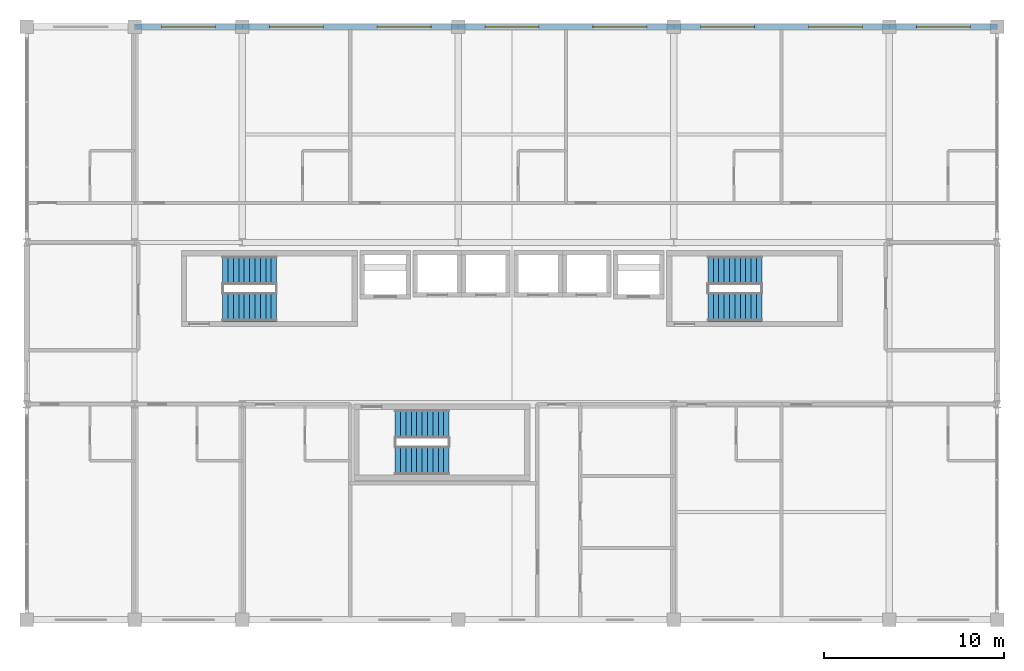
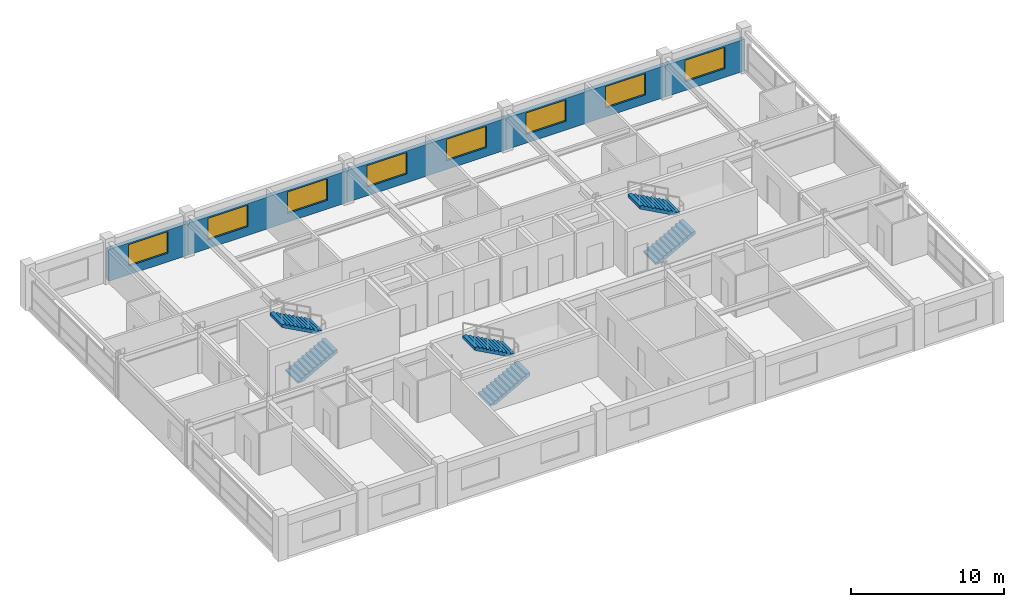
# One storey, part 19 of 20: 8 windows, 6 stair flights, 5 walls, 8 openings, 3 elements without a shape of their own.
"""IFC4 building model written with IfcOpenShell, lengths in metres."""

import ifcopenshell
import ifcopenshell.guid

model = None  # the IFC model being written
_history = None  # IfcOwnerHistory: only IFC2X3 demands one
_inside = {}  # id of a spatial element -> (the spatial element, [elements in it])
_under = {}  # id of a project, library or spatial element -> (it, [spatial elements below it])
_declared = {}  # id of a project -> (the project, [libraries it declares])
_typed = {}  # id of a type object -> (the type object, [elements of that type])
_made_of = {}  # id of a material, layer set ... -> (it, [elements and type objects made of it])


def new_model(schema):
    """Start an empty IFC model of exactly this schema.

    Asked for "IFC4X3", IfcOpenShell would pick the latest addendum, in which some entities
    have other attributes; the version numbers below select the first issue.
    IFC2X3 requires an IfcOwnerHistory on every rooted entity: one is made here for all.
    """
    global model, _history
    if schema == "IFC4X3":
        model = ifcopenshell.file(schema_version=(4, 3, 0, 0))
    else:
        model = ifcopenshell.file(schema=schema)
    _inside.clear()
    _under.clear()
    _declared.clear()
    _typed.clear()
    _made_of.clear()
    _history = None
    if model.schema == "IFC2X3":
        org = make("IfcOrganization", Name="unknown")
        user = make(
            "IfcPersonAndOrganization",
            ThePerson=make("IfcPerson", FamilyName="unknown"),
            TheOrganization=org,
        )
        app = make(
            "IfcApplication",
            ApplicationDeveloper=org,
            Version="unknown",
            ApplicationFullName="unknown",
            ApplicationIdentifier="unknown",
        )
        _history = make(
            "IfcOwnerHistory",
            OwningUser=user,
            OwningApplication=app,
            ChangeAction="ADDED",
            CreationDate=0,
        )
    return model


def make(cls, **values):
    """One entity of the class cls with the attributes given. An attribute that is None is left unset."""
    return model.create_entity(
        cls, **{name: value for name, value in values.items() if value is not None}
    )


def rooted(cls, **values):
    """An entity with a GlobalId (a new one), such as an element, a storey or a relation."""
    return make(cls, GlobalId=ifcopenshell.guid.new(), OwnerHistory=_history, **values)


def si_unit(unit_type, name, prefix=None):
    """IfcSIUnit, for example si_unit("LENGTHUNIT", "METRE", prefix="MILLI")."""
    return make("IfcSIUnit", UnitType=unit_type, Prefix=prefix, Name=name)


def assignment(units):
    """IfcUnitAssignment: the units of a project."""
    return None if units is None else make("IfcUnitAssignment", Units=units)


def point(xyz):
    """IfcCartesianPoint."""
    return None if xyz is None else make("IfcCartesianPoint", Coordinates=xyz)


def direction(xyz):
    """IfcDirection."""
    return None if xyz is None else make("IfcDirection", DirectionRatios=xyz)


def frame(location, z_axis=None, x_axis=None):
    """IfcAxis2Placement3D, a coordinate frame: its origin and axes. An axis left out is left unset."""
    return make(
        "IfcAxis2Placement3D",
        Location=point(location),
        Axis=direction(z_axis),
        RefDirection=direction(x_axis),
    )


def frame_2d(location, x_axis=None):
    """IfcAxis2Placement2D, a coordinate frame in the plane: its origin and x axis."""
    return make(
        "IfcAxis2Placement2D", Location=point(location), RefDirection=direction(x_axis)
    )


def origin():
    """The frame at (0, 0, 0) with its axes left unset."""
    return frame((0.0, 0.0, 0.0))


def place(relative_to, where):
    """IfcLocalPlacement: puts the frame where relative to a parent placement (None: the world)."""
    return make(
        "IfcLocalPlacement", PlacementRelTo=relative_to, RelativePlacement=where
    )


def context(
    kind, dimensions, precision=None, world=None, true_north=None, identifier=None
):
    """IfcGeometricRepresentationContext, for example the 3D "Model" context."""
    return make(
        "IfcGeometricRepresentationContext",
        ContextIdentifier=identifier,
        ContextType=kind,
        CoordinateSpaceDimension=dimensions,
        Precision=precision,
        WorldCoordinateSystem=world,
        TrueNorth=true_north,
    )


def subcontext(parent, identifier, kind, view, scale=None):
    """IfcGeometricRepresentationSubContext, for example "Body" below "Model"."""
    return make(
        "IfcGeometricRepresentationSubContext",
        ContextIdentifier=identifier,
        ContextType=kind,
        ParentContext=parent,
        TargetScale=scale,
        TargetView=view,
    )


def project(units=None, contexts=None):
    """IfcProject with its units and contexts."""
    return rooted(
        "IfcProject",
        Name="project",
        RepresentationContexts=contexts,
        UnitsInContext=assignment(units),
    )


def spatial(cls, under=None, at=None, **own):
    """A site, building, storey or space (cls), placed at a placement, below another one or the project."""
    s = rooted(cls, ObjectPlacement=at, **own)
    if under is not None:
        _under.setdefault(under.id(), (under, []))[1].append(s)
    return s


def polyline(points):
    """IfcPolyline through the points."""
    return make("IfcPolyline", Points=[point(p) for p in points])


def profile(cls, at=None, kind="AREA", **sizes):
    """A parametric profile (cls). Its sizes go by their IFC names, for example OverallWidth=200.0."""
    return make(cls, ProfileType=kind, Position=at, **sizes)


def rectangle(**sizes):
    """IfcRectangleProfileDef."""
    return profile("IfcRectangleProfileDef", **sizes)


def outline(outer, holes=None, kind="AREA"):
    """IfcArbitraryClosedProfileDef: a profile drawn as a closed curve; with holes, ...WithVoids."""
    if holes is None:
        return make("IfcArbitraryClosedProfileDef", ProfileType=kind, OuterCurve=outer)
    return make(
        "IfcArbitraryProfileDefWithVoids",
        ProfileType=kind,
        OuterCurve=outer,
        InnerCurves=holes,
    )


def extrude(swept, where, along, depth):
    """IfcExtrudedAreaSolid: the profile swept, set in the frame where, extruded along a direction by depth."""
    return make(
        "IfcExtrudedAreaSolid",
        SweptArea=swept,
        Position=where,
        ExtrudedDirection=direction(along),
        Depth=depth,
    )


def shape(context_of_items, identifier, shape_type, items):
    """IfcShapeRepresentation: the items that make up one representation, for example the "Body"."""
    return make(
        "IfcShapeRepresentation",
        ContextOfItems=context_of_items,
        RepresentationIdentifier=identifier,
        RepresentationType=shape_type,
        Items=items,
    )


def material(Name=None, Category=None):
    """IfcMaterial."""
    return make("IfcMaterial", Name=Name, Category=Category)


def layer(
    of_material, thickness, ventilated=None, Name=None, Category=None, Priority=None
):
    """IfcMaterialLayer: one layer of a wall or slab, of a material (None: an air gap)."""
    return make(
        "IfcMaterialLayer",
        Material=of_material,
        LayerThickness=thickness,
        IsVentilated=ventilated,
        Name=Name,
        Category=Category,
        Priority=Priority,
    )


def layer_set(layers, Name=None):
    """IfcMaterialLayerSet."""
    return make("IfcMaterialLayerSet", MaterialLayers=layers, LayerSetName=Name)


def made_of(thing, what):
    """Note that an element or type object is made of a material, layer set ...; save() writes the relation."""
    if what is not None:
        _made_of.setdefault(what.id(), (what, []))[1].append(thing)
    return thing


def type_object(cls, material=None, **own):
    """A type object (cls), such as IfcWallType, which elements share."""
    return made_of(rooted(cls, **own), material)


def element(
    cls,
    number,
    at=None,
    inside=None,
    cuts=None,
    type_object=None,
    material=None,
    context=None,
    identifier="Body",
    shape_type=None,
    held_by="IfcProductDefinitionShape",
    body=None,
    shapes=None,
    **own,
):
    """One element of the class cls, such as IfcWall. Its Tag is "e" and its number.

    at: its placement. inside: the storey or other place that contains it. cuts: it is an
    opening in that element (IfcRelVoidsElement). A single representation is given by context,
    identifier, shape_type and body (its items); several are given by shapes. held_by: the class
    of the entity that holds the representations. save() writes the other relations.
    """
    e = rooted(cls, Tag="e%d" % number, ObjectPlacement=at, **own)
    if body is not None:
        shapes = [shape(context, identifier, shape_type, body)]
    if shapes is not None:
        e.Representation = make(held_by, Representations=shapes)
    if inside is not None:
        _inside.setdefault(inside.id(), (inside, []))[1].append(e)
    if cuts is not None:
        rooted(
            "IfcRelVoidsElement", RelatingBuildingElement=cuts, RelatedOpeningElement=e
        )
    if type_object is not None:
        _typed.setdefault(type_object.id(), (type_object, []))[1].append(e)
    return made_of(e, material)


def fill(opening, filler):
    """IfcRelFillsElement: the door or window that sits in an opening."""
    return rooted(
        "IfcRelFillsElement",
        RelatingOpeningElement=opening,
        RelatedBuildingElement=filler,
    )


def aggregate(whole, parts):
    """IfcRelAggregates: a whole, such as a stair, and the parts it consists of."""
    return rooted("IfcRelAggregates", RelatingObject=whole, RelatedObjects=parts)


def save(model, path):
    """Write the relations noted so far, then the file.

    IfcRelAggregates (storeys below a building ...), IfcRelContainedInSpatialStructure (elements
    in a storey), IfcRelDefinesByType, IfcRelAssociatesMaterial and IfcRelDeclares: one each for
    every whole, place, type object, material and project.
    """
    for whole, parts in _under.values():
        aggregate(whole, parts)
    for where, things in _inside.values():
        rooted(
            "IfcRelContainedInSpatialStructure",
            RelatedElements=things,
            RelatingStructure=where,
        )
    for kind, things in _typed.values():
        rooted("IfcRelDefinesByType", RelatedObjects=things, RelatingType=kind)
    for what, things in _made_of.values():
        rooted("IfcRelAssociatesMaterial", RelatedObjects=things, RelatingMaterial=what)
    for by, libraries in _declared.values():
        rooted("IfcRelDeclares", RelatingContext=by, RelatedDefinitions=libraries)
    model.write(path)


model = new_model("IFC4")

# Units and contexts
model_context = context("Model", 3, precision=1e-05, world=origin(), true_north=direction((0.0, 1.0)))
body_context = subcontext(model_context, "Body", "Model", "MODEL_VIEW")
ifc_project = project(units=[si_unit("LENGTHUNIT", "METRE"), si_unit("AREAUNIT", "SQUARE_METRE"), si_unit("VOLUMEUNIT", "CUBIC_METRE"), si_unit("PLANEANGLEUNIT", "RADIAN"), si_unit("MASSUNIT", "GRAM", prefix="KILO")], contexts=[model_context])

# Site, building, storey
site_placement = place(None, origin())
site = spatial("IfcSite", under=ifc_project, at=site_placement, CompositionType="ELEMENT")
building_placement = place(site_placement, origin())
building = spatial("IfcBuilding", under=site, at=building_placement, Name="Kaldorvane Square Convention Centre", CompositionType="ELEMENT")
storey_placement = place(building_placement, frame((0.0, 0.0, 52.80000305175781)))
storey = spatial("IfcBuildingStorey", under=building, at=storey_placement, Name="L12", CompositionType="ELEMENT", Elevation=52.80000305175781)

# Wall, opening, window
ifc_material_1 = material(Name="Concrete f'c = 35 MPa (Normalweight)", Category="concrete")
ifc_layer = layer(ifc_material_1, 0.32000732421875)
ifc_layer_set = layer_set([ifc_layer], Name="Concrete f'c = 35 MPa (Normalweight)")
wall_type = type_object("IfcWallType", Name="WL-EXT-320", PredefinedType="STANDARD", material=ifc_layer_set)
wall_1_placement = place(storey_placement, frame((42.0, 117.0, 0.0), z_axis=(0.0, 0.0, 1.0), x_axis=(-1.0, 0.0, 0.0)))
wall_1 = element("IfcWall", 1, at=wall_1_placement, inside=storey, type_object=wall_type, Name="Hotel N Brutalist Facade Wall (L12)", PredefinedType="STANDARD", context=body_context, shape_type="SweptSolid", body=[
    extrude(rectangle(XDim=6.0, YDim=0.32000732421875, at=frame_2d((3.0, 0.0))), origin(), (0.0, 0.0, 1.0), 2.5359954833984375),
])
opening_1_placement = place(wall_1_placement, frame((1.5, 0.0, 0.6999969482421875)))
opening_1 = element("IfcOpeningElement", 2, at=opening_1_placement, cuts=wall_1, Name="Opening W-09", PredefinedType="OPENING", context=body_context, shape_type="SweptSolid", body=[
    extrude(rectangle(XDim=3.0, YDim=1.7100067138671875, at=frame_2d((1.5, 0.855010986328125))), frame((0.0, 0.1750030517578125, 0.0), z_axis=(0.0, -1.0, 0.0), x_axis=(1.0, 0.0, 0.0)), (0.0, 0.0, 1.0), 0.350006103515625),
])
ifc_material_2 = material(Name="Anodized Aluminum and Low-E Insulated Glazing", Category="aluminium")
window_type = type_object("IfcWindowType", Name="WN-HTL-3000X1750", PartitioningType="TRIPLE_PANEL_VERTICAL", PredefinedType="WINDOW", material=ifc_material_2)
window_1_placement = place(opening_1_placement, origin())
window_1 = element("IfcWindow", 3, at=window_1_placement, inside=storey, type_object=window_type, Name="Hotel N Window (L12)", OverallHeight=1.7100067138671875, OverallWidth=3.0, PartitioningType="TRIPLE_PANEL_VERTICAL", PredefinedType="WINDOW", context=body_context, shape_type="SweptSolid", body=[
    extrude(rectangle(XDim=3.0, YDim=1.7100067138671875, at=frame_2d((1.5, 0.855010986328125))), frame((0.0, 0.029998779296875, 0.0), z_axis=(0.0, -1.0, 0.0), x_axis=(1.0, 0.0, 0.0)), (0.0, 0.0, 1.0), 0.05999755859375),
])
fill(opening_1, window_1)

# Wall, openings, windows
wall_2_placement = place(storey_placement, frame((54.0, 117.0, 0.0), z_axis=(0.0, 0.0, 1.0), x_axis=(-1.0, 0.0, 0.0)))
wall_2 = element("IfcWall", 4, at=wall_2_placement, inside=storey, type_object=wall_type, Name="Hotel N Brutalist Facade Wall (L12)", PredefinedType="STANDARD", context=body_context, shape_type="SweptSolid", body=[
    extrude(rectangle(XDim=12.0, YDim=0.32000732421875, at=frame_2d((6.0, 0.0))), origin(), (0.0, 0.0, 1.0), 2.5359954833984375),
])
opening_2_placement = place(wall_2_placement, frame((1.5, 0.0, 0.6999969482421875)))
opening_2 = element("IfcOpeningElement", 5, at=opening_2_placement, cuts=wall_2, Name="Opening W-09", PredefinedType="OPENING", context=body_context, shape_type="SweptSolid", body=[
    extrude(rectangle(XDim=3.0, YDim=1.7100067138671875, at=frame_2d((1.5, 0.855010986328125))), frame((0.0, 0.1750030517578125, 0.0), z_axis=(0.0, -1.0, 0.0), x_axis=(1.0, 0.0, 0.0)), (0.0, 0.0, 1.0), 0.350006103515625),
])
opening_3_placement = place(wall_2_placement, frame((7.5, 0.0, 0.6999969482421875)))
opening_3 = element("IfcOpeningElement", 6, at=opening_3_placement, cuts=wall_2, Name="Opening W-09", PredefinedType="OPENING", context=body_context, shape_type="SweptSolid", body=[
    extrude(rectangle(XDim=3.0, YDim=1.7100067138671875, at=frame_2d((1.5, 0.855010986328125))), frame((0.0, 0.1750030517578125, 0.0), z_axis=(0.0, -1.0, 0.0), x_axis=(1.0, 0.0, 0.0)), (0.0, 0.0, 1.0), 0.350006103515625),
])
window_2_placement = place(opening_2_placement, origin())
window_2 = element("IfcWindow", 7, at=window_2_placement, inside=storey, type_object=window_type, Name="Hotel N Window (L12)", OverallHeight=1.7100067138671875, OverallWidth=3.0, PartitioningType="TRIPLE_PANEL_VERTICAL", PredefinedType="WINDOW", context=body_context, shape_type="SweptSolid", body=[
    extrude(rectangle(XDim=3.0, YDim=1.7100067138671875, at=frame_2d((1.5, 0.855010986328125))), frame((0.0, 0.029998779296875, 0.0), z_axis=(0.0, -1.0, 0.0), x_axis=(1.0, 0.0, 0.0)), (0.0, 0.0, 1.0), 0.05999755859375),
])
fill(opening_2, window_2)
window_3_placement = place(opening_3_placement, origin())
window_3 = element("IfcWindow", 8, at=window_3_placement, inside=storey, type_object=window_type, Name="Hotel N Window (L12)", OverallHeight=1.7100067138671875, OverallWidth=3.0, PartitioningType="TRIPLE_PANEL_VERTICAL", PredefinedType="WINDOW", context=body_context, shape_type="SweptSolid", body=[
    extrude(rectangle(XDim=3.0, YDim=1.7100067138671875, at=frame_2d((1.5, 0.855010986328125))), frame((0.0, 0.029998779296875, 0.0), z_axis=(0.0, -1.0, 0.0), x_axis=(1.0, 0.0, 0.0)), (0.0, 0.0, 1.0), 0.05999755859375),
])
fill(opening_3, window_3)

wall_3_placement = place(storey_placement, frame((66.0, 117.0, 0.0), z_axis=(0.0, 0.0, 1.0), x_axis=(-1.0, 0.0, 0.0)))
wall_3 = element("IfcWall", 9, at=wall_3_placement, inside=storey, type_object=wall_type, Name="Hotel N Brutalist Facade Wall (L12)", PredefinedType="STANDARD", context=body_context, shape_type="SweptSolid", body=[
    extrude(rectangle(XDim=12.0, YDim=0.32000732421875, at=frame_2d((6.0, 0.0))), origin(), (0.0, 0.0, 1.0), 2.5359954833984375),
])
opening_4_placement = place(wall_3_placement, frame((1.5, 0.0, 0.6999969482421875)))
opening_4 = element("IfcOpeningElement", 10, at=opening_4_placement, cuts=wall_3, Name="Opening W-09", PredefinedType="OPENING", context=body_context, shape_type="SweptSolid", body=[
    extrude(rectangle(XDim=3.0, YDim=1.7100067138671875, at=frame_2d((1.5, 0.855010986328125))), frame((0.0, 0.1750030517578125, 0.0), z_axis=(0.0, -1.0, 0.0), x_axis=(1.0, 0.0, 0.0)), (0.0, 0.0, 1.0), 0.350006103515625),
])
opening_5_placement = place(wall_3_placement, frame((7.5, 0.0, 0.6999969482421875)))
opening_5 = element("IfcOpeningElement", 11, at=opening_5_placement, cuts=wall_3, Name="Opening W-09", PredefinedType="OPENING", context=body_context, shape_type="SweptSolid", body=[
    extrude(rectangle(XDim=3.0, YDim=1.7100067138671875, at=frame_2d((1.5, 0.855010986328125))), frame((0.0, 0.1750030517578125, 0.0), z_axis=(0.0, -1.0, 0.0), x_axis=(1.0, 0.0, 0.0)), (0.0, 0.0, 1.0), 0.350006103515625),
])
window_4_placement = place(opening_4_placement, origin())
window_4 = element("IfcWindow", 12, at=window_4_placement, inside=storey, type_object=window_type, Name="Hotel N Window (L12)", OverallHeight=1.7100067138671875, OverallWidth=3.0, PartitioningType="TRIPLE_PANEL_VERTICAL", PredefinedType="WINDOW", context=body_context, shape_type="SweptSolid", body=[
    extrude(rectangle(XDim=3.0, YDim=1.7100067138671875, at=frame_2d((1.5, 0.855010986328125))), frame((0.0, 0.029998779296875, 0.0), z_axis=(0.0, -1.0, 0.0), x_axis=(1.0, 0.0, 0.0)), (0.0, 0.0, 1.0), 0.05999755859375),
])
fill(opening_4, window_4)
window_5_placement = place(opening_5_placement, origin())
window_5 = element("IfcWindow", 13, at=window_5_placement, inside=storey, type_object=window_type, Name="Hotel N Window (L12)", OverallHeight=1.7100067138671875, OverallWidth=3.0, PartitioningType="TRIPLE_PANEL_VERTICAL", PredefinedType="WINDOW", context=body_context, shape_type="SweptSolid", body=[
    extrude(rectangle(XDim=3.0, YDim=1.7100067138671875, at=frame_2d((1.5, 0.855010986328125))), frame((0.0, 0.029998779296875, 0.0), z_axis=(0.0, -1.0, 0.0), x_axis=(1.0, 0.0, 0.0)), (0.0, 0.0, 1.0), 0.05999755859375),
])
fill(opening_5, window_5)

wall_4_placement = place(storey_placement, frame((78.0, 117.0, 0.0), z_axis=(0.0, 0.0, 1.0), x_axis=(-1.0, 0.0, 0.0)))
wall_4 = element("IfcWall", 14, at=wall_4_placement, inside=storey, type_object=wall_type, Name="Hotel N Brutalist Facade Wall (L12)", PredefinedType="STANDARD", context=body_context, shape_type="SweptSolid", body=[
    extrude(rectangle(XDim=12.0, YDim=0.32000732421875, at=frame_2d((6.0, 0.0))), origin(), (0.0, 0.0, 1.0), 2.5359954833984375),
])
opening_6_placement = place(wall_4_placement, frame((1.5, 0.0, 0.6999969482421875)))
opening_6 = element("IfcOpeningElement", 15, at=opening_6_placement, cuts=wall_4, Name="Opening W-09", PredefinedType="OPENING", context=body_context, shape_type="SweptSolid", body=[
    extrude(rectangle(XDim=3.0, YDim=1.7100067138671875, at=frame_2d((1.5, 0.855010986328125))), frame((0.0, 0.1750030517578125, 0.0), z_axis=(0.0, -1.0, 0.0), x_axis=(1.0, 0.0, 0.0)), (0.0, 0.0, 1.0), 0.350006103515625),
])
opening_7_placement = place(wall_4_placement, frame((7.5, 0.0, 0.6999969482421875)))
opening_7 = element("IfcOpeningElement", 16, at=opening_7_placement, cuts=wall_4, Name="Opening W-09", PredefinedType="OPENING", context=body_context, shape_type="SweptSolid", body=[
    extrude(rectangle(XDim=3.0, YDim=1.7100067138671875, at=frame_2d((1.5, 0.855010986328125))), frame((0.0, 0.1750030517578125, 0.0), z_axis=(0.0, -1.0, 0.0), x_axis=(1.0, 0.0, 0.0)), (0.0, 0.0, 1.0), 0.350006103515625),
])
window_6_placement = place(opening_6_placement, origin())
window_6 = element("IfcWindow", 17, at=window_6_placement, inside=storey, type_object=window_type, Name="Hotel N Window (L12)", OverallHeight=1.7100067138671875, OverallWidth=3.0, PartitioningType="TRIPLE_PANEL_VERTICAL", PredefinedType="WINDOW", context=body_context, shape_type="SweptSolid", body=[
    extrude(rectangle(XDim=3.0, YDim=1.7100067138671875, at=frame_2d((1.5, 0.855010986328125))), frame((0.0, 0.029998779296875, 0.0), z_axis=(0.0, -1.0, 0.0), x_axis=(1.0, 0.0, 0.0)), (0.0, 0.0, 1.0), 0.05999755859375),
])
fill(opening_6, window_6)
window_7_placement = place(opening_7_placement, origin())
window_7 = element("IfcWindow", 18, at=window_7_placement, inside=storey, type_object=window_type, Name="Hotel N Window (L12)", OverallHeight=1.7100067138671875, OverallWidth=3.0, PartitioningType="TRIPLE_PANEL_VERTICAL", PredefinedType="WINDOW", context=body_context, shape_type="SweptSolid", body=[
    extrude(rectangle(XDim=3.0, YDim=1.7100067138671875, at=frame_2d((1.5, 0.855010986328125))), frame((0.0, 0.029998779296875, 0.0), z_axis=(0.0, -1.0, 0.0), x_axis=(1.0, 0.0, 0.0)), (0.0, 0.0, 1.0), 0.05999755859375),
])
fill(opening_7, window_7)

# Wall, opening, window
wall_5_placement = place(storey_placement, frame((84.0, 117.0, 0.0), z_axis=(0.0, 0.0, 1.0), x_axis=(-1.0, 0.0, 0.0)))
wall_5 = element("IfcWall", 19, at=wall_5_placement, inside=storey, type_object=wall_type, Name="Hotel N Brutalist Facade Wall (L12)", PredefinedType="STANDARD", context=body_context, shape_type="SweptSolid", body=[
    extrude(rectangle(XDim=6.0, YDim=0.32000732421875, at=frame_2d((3.0, 0.0))), origin(), (0.0, 0.0, 1.0), 2.5359954833984375),
])
opening_8_placement = place(wall_5_placement, frame((1.5, 0.0, 0.6999969482421875)))
opening_8 = element("IfcOpeningElement", 20, at=opening_8_placement, cuts=wall_5, Name="Opening W-09", PredefinedType="OPENING", context=body_context, shape_type="SweptSolid", body=[
    extrude(rectangle(XDim=3.0, YDim=1.7100067138671875, at=frame_2d((1.5, 0.855010986328125))), frame((0.0, 0.1750030517578125, 0.0), z_axis=(0.0, -1.0, 0.0), x_axis=(1.0, 0.0, 0.0)), (0.0, 0.0, 1.0), 0.350006103515625),
])
window_8_placement = place(opening_8_placement, origin())
window_8 = element("IfcWindow", 21, at=window_8_placement, inside=storey, type_object=window_type, Name="Hotel N Window (L12)", OverallHeight=1.7100067138671875, OverallWidth=3.0, PartitioningType="TRIPLE_PANEL_VERTICAL", PredefinedType="WINDOW", context=body_context, shape_type="SweptSolid", body=[
    extrude(rectangle(XDim=3.0, YDim=1.7100067138671875, at=frame_2d((1.5, 0.855010986328125))), frame((0.0, 0.029998779296875, 0.0), z_axis=(0.0, -1.0, 0.0), x_axis=(1.0, 0.0, 0.0)), (0.0, 0.0, 1.0), 0.05999755859375),
])
fill(opening_8, window_8)

# Stair, stair flights
ifc_material_3 = material(Name="Concrete f'c = 42 MPa (Normalweight)", Category="concrete")
stair_type = type_object("IfcStairType", Name="ST-DL-1600-3600", PredefinedType="HALF_TURN_STAIR", material=ifc_material_3)
stair_1_placement = place(storey_placement, origin())
stair_1 = element("IfcStair", 22, at=stair_1_placement, inside=storey, type_object=stair_type, Name="Tower Exit Stair T1 (L12)", PredefinedType="HALF_TURN_STAIR")
stair_flight_type = type_object("IfcStairFlightType", Name="SF-STR-1600-11R", PredefinedType="STRAIGHT", material=ifc_material_3)
stair_flight_1_placement = place(storey_placement, frame((40.899993896484375, 101.41000366210938, 0.0), z_axis=(0.0, 0.0, 1.0), x_axis=(1.0, 0.0, 0.0)))
stair_flight_1 = element("IfcStairFlight", 23, at=stair_flight_1_placement, type_object=stair_flight_type, Name="Tower Exit Stair T1 Flight 1 (L12)", NumberOfRisers=11, NumberOfTreads=10, PredefinedType="STRAIGHT", RiserHeight=0.163636364, TreadLength=0.3, context=body_context, shape_type="SweptSolid", body=[
    extrude(outline(polyline([(0.0, 0.0), (0.0, 0.16363525390625), (0.3000030517578125, 0.16363525390625), (0.3000030517578125, 0.3272705078125), (0.600006103515625, 0.3272705078125), (0.600006103515625, 0.49090576171875), (0.899993896484375, 0.49090576171875), (0.899993896484375, 0.654541015625), (1.1999969482421875, 0.654541015625), (1.1999969482421875, 0.81817626953125), (1.5, 0.81817626953125), (1.5, 0.9818115234375), (1.8000030517578125, 0.9818115234375), (1.8000030517578125, 1.1454620361328125), (2.100006103515625, 1.1454620361328125), (2.100006103515625, 1.3090972900390625), (2.399993896484375, 1.3090972900390625), (2.399993896484375, 1.4727325439453125), (2.6999969482421875, 1.4727325439453125), (2.6999969482421875, 1.6363677978515625), (3.0, 1.6363677978515625), (3.0, 1.8000030517578125), (3.0, 1.4085540771484375), (0.41766357421875, 0.0), (0.0, 0.0)])), frame((0.0, 0.8000030517578125, 0.0), z_axis=(0.0, -1.0, 0.0), x_axis=(1.0, 0.0, 0.0)), (0.0, 0.0, 1.0), 1.600006103515625),
])
stair_flight_2_placement = place(storey_placement, frame((43.899993896484375, 103.44999694824219, 1.8000030517578125), z_axis=(0.0, 0.0, 1.0), x_axis=(-1.0, 0.0, 0.0)))
stair_flight_2 = element("IfcStairFlight", 24, at=stair_flight_2_placement, type_object=stair_flight_type, Name="Tower Exit Stair T1 Flight 2 (L12)", NumberOfRisers=11, NumberOfTreads=10, PredefinedType="STRAIGHT", RiserHeight=0.163636364, TreadLength=0.3, context=body_context, shape_type="SweptSolid", body=[
    extrude(outline(polyline([(0.0, 0.0), (0.0, 0.16363525390625), (0.3000030517578125, 0.16363525390625), (0.3000030517578125, 0.3272705078125), (0.600006103515625, 0.3272705078125), (0.600006103515625, 0.49090576171875), (0.899993896484375, 0.49090576171875), (0.899993896484375, 0.654541015625), (1.1999969482421875, 0.654541015625), (1.1999969482421875, 0.81817626953125), (1.5, 0.81817626953125), (1.5, 0.9818115234375), (1.8000030517578125, 0.9818115234375), (1.8000030517578125, 1.1454620361328125), (2.100006103515625, 1.1454620361328125), (2.100006103515625, 1.3090972900390625), (2.399993896484375, 1.3090972900390625), (2.399993896484375, 1.4727325439453125), (2.6999969482421875, 1.4727325439453125), (2.6999969482421875, 1.6363677978515625), (3.0, 1.6363677978515625), (3.0, 1.8000030517578125), (3.0, 1.4085540771484375), (0.41766357421875, 0.0), (0.0, 0.0)])), frame((0.0, 0.8000030517578125, 0.0), z_axis=(0.0, -1.0, 0.0), x_axis=(1.0, 0.0, 0.0)), (0.0, 0.0, 1.0), 1.600006103515625),
])
aggregate(stair_1, [stair_flight_1, stair_flight_2])

stair_2_placement = place(storey_placement, origin())
stair_2 = element("IfcStair", 25, at=stair_2_placement, inside=storey, type_object=stair_type, Name="Tower Exit Stair T2 (L12)", PredefinedType="HALF_TURN_STAIR")
stair_flight_3_placement = place(storey_placement, frame((67.89999389648438, 101.41000366210938, 0.0), z_axis=(0.0, 0.0, 1.0), x_axis=(1.0, 0.0, 0.0)))
stair_flight_3 = element("IfcStairFlight", 26, at=stair_flight_3_placement, type_object=stair_flight_type, Name="Tower Exit Stair T2 Flight 1 (L12)", NumberOfRisers=11, NumberOfTreads=10, PredefinedType="STRAIGHT", RiserHeight=0.163636364, TreadLength=0.3, context=body_context, shape_type="SweptSolid", body=[
    extrude(outline(polyline([(0.0, 0.0), (0.0, 0.16363525390625), (0.3000030517578125, 0.16363525390625), (0.3000030517578125, 0.3272705078125), (0.600006103515625, 0.3272705078125), (0.600006103515625, 0.49090576171875), (0.899993896484375, 0.49090576171875), (0.899993896484375, 0.654541015625), (1.1999969482421875, 0.654541015625), (1.1999969482421875, 0.81817626953125), (1.5, 0.81817626953125), (1.5, 0.9818115234375), (1.8000030517578125, 0.9818115234375), (1.8000030517578125, 1.1454620361328125), (2.100006103515625, 1.1454620361328125), (2.100006103515625, 1.3090972900390625), (2.399993896484375, 1.3090972900390625), (2.399993896484375, 1.4727325439453125), (2.6999969482421875, 1.4727325439453125), (2.6999969482421875, 1.6363677978515625), (3.0, 1.6363677978515625), (3.0, 1.8000030517578125), (3.0, 1.4085540771484375), (0.41766357421875, 0.0), (0.0, 0.0)])), frame((0.0, 0.8000030517578125, 0.0), z_axis=(0.0, -1.0, 0.0), x_axis=(1.0, 0.0, 0.0)), (0.0, 0.0, 1.0), 1.600006103515625),
])
stair_flight_4_placement = place(storey_placement, frame((70.89999389648438, 103.44999694824219, 1.8000030517578125), z_axis=(0.0, 0.0, 1.0), x_axis=(-1.0, 0.0, 0.0)))
stair_flight_4 = element("IfcStairFlight", 27, at=stair_flight_4_placement, type_object=stair_flight_type, Name="Tower Exit Stair T2 Flight 2 (L12)", NumberOfRisers=11, NumberOfTreads=10, PredefinedType="STRAIGHT", RiserHeight=0.163636364, TreadLength=0.3, context=body_context, shape_type="SweptSolid", body=[
    extrude(outline(polyline([(0.0, 0.0), (0.0, 0.16363525390625), (0.3000030517578125, 0.16363525390625), (0.3000030517578125, 0.3272705078125), (0.600006103515625, 0.3272705078125), (0.600006103515625, 0.49090576171875), (0.899993896484375, 0.49090576171875), (0.899993896484375, 0.654541015625), (1.1999969482421875, 0.654541015625), (1.1999969482421875, 0.81817626953125), (1.5, 0.81817626953125), (1.5, 0.9818115234375), (1.8000030517578125, 0.9818115234375), (1.8000030517578125, 1.1454620361328125), (2.100006103515625, 1.1454620361328125), (2.100006103515625, 1.3090972900390625), (2.399993896484375, 1.3090972900390625), (2.399993896484375, 1.4727325439453125), (2.6999969482421875, 1.4727325439453125), (2.6999969482421875, 1.6363677978515625), (3.0, 1.6363677978515625), (3.0, 1.8000030517578125), (3.0, 1.4085540771484375), (0.41766357421875, 0.0), (0.0, 0.0)])), frame((0.0, 0.8000030517578125, 0.0), z_axis=(0.0, -1.0, 0.0), x_axis=(1.0, 0.0, 0.0)), (0.0, 0.0, 1.0), 1.600006103515625),
])
aggregate(stair_2, [stair_flight_3, stair_flight_4])

stair_3_placement = place(storey_placement, origin())
stair_3 = element("IfcStair", 28, at=stair_3_placement, inside=storey, type_object=stair_type, Name="Tower Exit Stair T3 (L12)", PredefinedType="HALF_TURN_STAIR")
stair_flight_5_placement = place(storey_placement, frame((50.5, 92.86000061035156, 0.0), z_axis=(0.0, 0.0, 1.0), x_axis=(1.0, 0.0, 0.0)))
stair_flight_5 = element("IfcStairFlight", 29, at=stair_flight_5_placement, type_object=stair_flight_type, Name="Tower Exit Stair T3 Flight 1 (L12)", NumberOfRisers=11, NumberOfTreads=10, PredefinedType="STRAIGHT", RiserHeight=0.163636364, TreadLength=0.3, context=body_context, shape_type="SweptSolid", body=[
    extrude(outline(polyline([(0.0, 0.0), (0.0, 0.16363525390625), (0.3000030517578125, 0.16363525390625), (0.3000030517578125, 0.3272705078125), (0.600006103515625, 0.3272705078125), (0.600006103515625, 0.49090576171875), (0.899993896484375, 0.49090576171875), (0.899993896484375, 0.654541015625), (1.1999969482421875, 0.654541015625), (1.1999969482421875, 0.81817626953125), (1.5, 0.81817626953125), (1.5, 0.9818115234375), (1.8000030517578125, 0.9818115234375), (1.8000030517578125, 1.1454620361328125), (2.100006103515625, 1.1454620361328125), (2.100006103515625, 1.3090972900390625), (2.399993896484375, 1.3090972900390625), (2.399993896484375, 1.4727325439453125), (2.6999969482421875, 1.4727325439453125), (2.6999969482421875, 1.6363677978515625), (3.0, 1.6363677978515625), (3.0, 1.8000030517578125), (3.0, 1.4085540771484375), (0.41766357421875, 0.0), (0.0, 0.0)])), frame((0.0, 0.8000030517578125, 0.0), z_axis=(0.0, -1.0, 0.0), x_axis=(1.0, 0.0, 0.0)), (0.0, 0.0, 1.0), 1.600006103515625),
])
stair_flight_6_placement = place(storey_placement, frame((53.5, 94.89999389648438, 1.8000030517578125), z_axis=(0.0, 0.0, 1.0), x_axis=(-1.0, 0.0, 0.0)))
stair_flight_6 = element("IfcStairFlight", 30, at=stair_flight_6_placement, type_object=stair_flight_type, Name="Tower Exit Stair T3 Flight 2 (L12)", NumberOfRisers=11, NumberOfTreads=10, PredefinedType="STRAIGHT", RiserHeight=0.163636364, TreadLength=0.3, context=body_context, shape_type="SweptSolid", body=[
    extrude(outline(polyline([(0.0, 0.0), (0.0, 0.16363525390625), (0.3000030517578125, 0.16363525390625), (0.3000030517578125, 0.3272705078125), (0.600006103515625, 0.3272705078125), (0.600006103515625, 0.49090576171875), (0.899993896484375, 0.49090576171875), (0.899993896484375, 0.654541015625), (1.1999969482421875, 0.654541015625), (1.1999969482421875, 0.81817626953125), (1.5, 0.81817626953125), (1.5, 0.9818115234375), (1.8000030517578125, 0.9818115234375), (1.8000030517578125, 1.1454620361328125), (2.100006103515625, 1.1454620361328125), (2.100006103515625, 1.3090972900390625), (2.399993896484375, 1.3090972900390625), (2.399993896484375, 1.4727325439453125), (2.6999969482421875, 1.4727325439453125), (2.6999969482421875, 1.6363677978515625), (3.0, 1.6363677978515625), (3.0, 1.8000030517578125), (3.0, 1.4085540771484375), (0.41766357421875, 0.0), (0.0, 0.0)])), frame((0.0, 0.8000030517578125, 0.0), z_axis=(0.0, -1.0, 0.0), x_axis=(1.0, 0.0, 0.0)), (0.0, 0.0, 1.0), 1.600006103515625),
])
aggregate(stair_3, [stair_flight_5, stair_flight_6])

save(model, "model.ifc")
